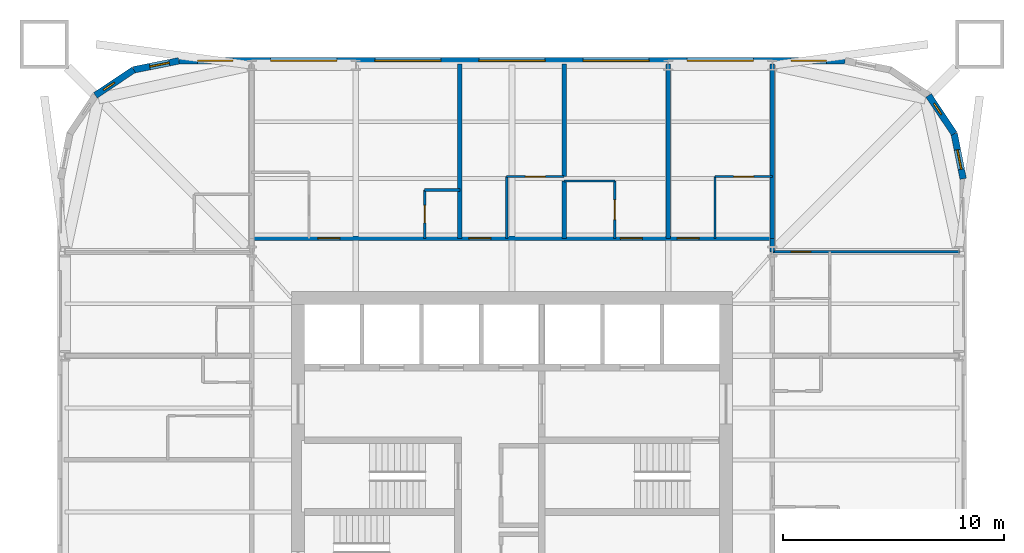
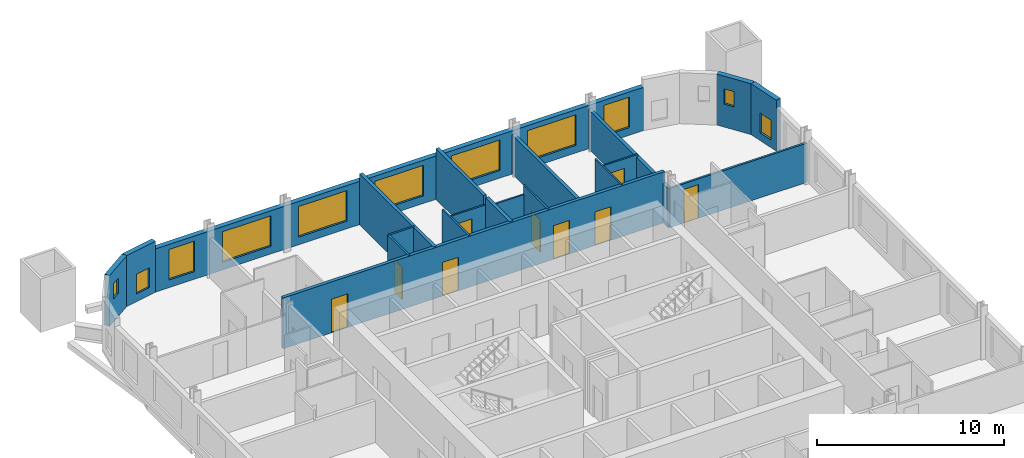
# One storey, part 7 of 9: 21 walls, 11 windows, 9 doors, 20 openings.
"""IFC4 building model written with IfcOpenShell, lengths in metres."""

from ifc_helpers import new_model, si_unit, direction, frame, frame_2d, origin, place, context, subcontext, project, spatial, rectangle, extrude, material, layer, layer_set, type_object, element, fill, save


model = new_model("IFC4")

# Units and contexts
model_context = context("Model", 3, precision=1e-05, world=origin(), true_north=direction((0.0, 1.0)))
body_context = subcontext(model_context, "Body", "Model", "MODEL_VIEW")
ifc_project = project(units=[si_unit("LENGTHUNIT", "METRE"), si_unit("AREAUNIT", "SQUARE_METRE"), si_unit("VOLUMEUNIT", "CUBIC_METRE"), si_unit("PLANEANGLEUNIT", "RADIAN"), si_unit("MASSUNIT", "GRAM", prefix="KILO")], contexts=[model_context])

# Site, building, storey
site_placement = place(None, origin())
site = spatial("IfcSite", under=ifc_project, at=site_placement, CompositionType="ELEMENT")
building_placement = place(site_placement, origin())
building = spatial("IfcBuilding", under=site, at=building_placement, Name="Turquesa Mirador Hotel Tower", CompositionType="ELEMENT")
storey_placement = place(building_placement, frame((0.0, 0.0, 96.89990234375)))
storey = spatial("IfcBuildingStorey", under=building, at=storey_placement, Name="L25", CompositionType="ELEMENT", Elevation=96.89990234375)

# Wall
ifc_material_1 = material(Name="Gypsum board on steel studs", Category="steel")
ifc_layer_1 = layer(ifc_material_1, 0.10009765625)
ifc_layer_set_1 = layer_set([ifc_layer_1], Name="BATHROOM WALL 100")
wall_type_1 = type_object("IfcWallType", Name="BATHROOM WALL 100", PredefinedType="PARTITIONING", material=ifc_layer_set_1)
wall_1_placement = place(storey_placement, frame((57.360107421875, 60.0, 0.0), z_axis=(0.0, 0.0, 1.0), x_axis=(1.0, 0.0, 0.0)))
element("IfcWall", 1, at=wall_1_placement, inside=storey, type_object=wall_type_1, Name="Partition L25 027", PredefinedType="PARTITIONING", context=body_context, shape_type="SweptSolid", body=[
    extrude(rectangle(XDim=2.2998046875, YDim=0.10009765625, at=frame_2d((1.14990234375, 0.0))), origin(), (0.0, 0.0, 1.0), 2.730712890625),
])

# Wall, opening, door
wall_2_placement = place(storey_placement, frame((54.760009765625, 60.199951171875, 0.0), z_axis=(0.0, 0.0, 1.0), x_axis=(1.0, 0.0, 0.0)))
wall_2 = element("IfcWall", 2, at=wall_2_placement, inside=storey, type_object=wall_type_1, Name="Partition L25 028", PredefinedType="PARTITIONING", context=body_context, shape_type="SweptSolid", body=[
    extrude(rectangle(XDim=2.60009765625, YDim=0.10009765625, at=frame_2d((1.300048828125, 0.0))), origin(), (0.0, 0.0, 1.0), 2.730712890625),
])
opening_1_placement = place(wall_2_placement, frame((0.85009765625, 0.0, 0.0)))
opening_1 = element("IfcOpeningElement", 3, at=opening_1_placement, cuts=wall_2, Name="Opening D02", PredefinedType="OPENING", context=body_context, shape_type="SweptSolid", body=[
    extrude(rectangle(XDim=0.89990234375, YDim=2.10009765625, at=frame_2d((0.449951171875, 1.050048828125))), frame((0.0, 0.06005859375, 0.0), z_axis=(0.0, -1.0, 0.0), x_axis=(1.0, 0.0, 0.0)), (0.0, 0.0, 1.0), 0.1201171875),
])
ifc_material_2 = material(Name="Timber veneered door", Category="wood")
door_type_1 = type_object("IfcDoorType", Name="DOOR 900X2100 EN-SUITE", OperationType="SINGLE_SWING_RIGHT", PredefinedType="DOOR", material=ifc_material_2)
door_1_placement = place(opening_1_placement, origin())
door_1 = element("IfcDoor", 4, at=door_1_placement, inside=storey, type_object=door_type_1, Name="Door 2502B", OperationType="SINGLE_SWING_RIGHT", OverallHeight=2.10009765625, OverallWidth=0.89990234375, PredefinedType="DOOR", context=body_context, shape_type="SweptSolid", body=[
    extrude(rectangle(XDim=0.89990234375, YDim=2.10009765625, at=frame_2d((0.449951171875, 1.050048828125))), frame((0.0, 0.02490234375, 0.0), z_axis=(0.0, -1.0, 0.0), x_axis=(1.0, 0.0, 0.0)), (0.0, 0.0, 1.0), 0.050048828125),
])
fill(opening_1, door_1)

wall_3_placement = place(storey_placement, frame((64.199951171875, 60.199951171875, 0.0), z_axis=(0.0, 0.0, 1.0), x_axis=(1.0, 0.0, 0.0)))
wall_3 = element("IfcWall", 5, at=wall_3_placement, inside=storey, type_object=wall_type_1, Name="Partition L25 029", PredefinedType="PARTITIONING", context=body_context, shape_type="SweptSolid", body=[
    extrude(rectangle(XDim=2.60009765625, YDim=0.10009765625, at=frame_2d((1.300048828125, 0.0))), origin(), (0.0, 0.0, 1.0), 2.730712890625),
])
opening_2_placement = place(wall_3_placement, frame((0.85009765625, 0.0, 0.0)))
opening_2 = element("IfcOpeningElement", 6, at=opening_2_placement, cuts=wall_3, Name="Opening D02", PredefinedType="OPENING", context=body_context, shape_type="SweptSolid", body=[
    extrude(rectangle(XDim=0.89990234375, YDim=2.10009765625, at=frame_2d((0.449951171875, 1.050048828125))), frame((0.0, 0.06005859375, 0.0), z_axis=(0.0, -1.0, 0.0), x_axis=(1.0, 0.0, 0.0)), (0.0, 0.0, 1.0), 0.1201171875),
])
door_2_placement = place(opening_2_placement, origin())
door_2 = element("IfcDoor", 7, at=door_2_placement, inside=storey, type_object=door_type_1, Name="Door 2504B", OperationType="SINGLE_SWING_RIGHT", OverallHeight=2.10009765625, OverallWidth=0.89990234375, PredefinedType="DOOR", context=body_context, shape_type="SweptSolid", body=[
    extrude(rectangle(XDim=0.89990234375, YDim=2.10009765625, at=frame_2d((0.449951171875, 1.050048828125))), frame((0.0, 0.02490234375, 0.0), z_axis=(0.0, -1.0, 0.0), x_axis=(1.0, 0.0, 0.0)), (0.0, 0.0, 1.0), 0.050048828125),
])
fill(opening_2, door_2)

# Wall
wall_4_placement = place(storey_placement, frame((54.760009765625, 57.39990234375, 0.0), z_axis=(0.0, 0.0, 1.0), x_axis=(0.0, 1.0, 0.0)))
element("IfcWall", 8, at=wall_4_placement, inside=storey, type_object=wall_type_1, Name="Partition L25 040", PredefinedType="PARTITIONING", context=body_context, shape_type="SweptSolid", body=[
    extrude(rectangle(XDim=2.800048828125, YDim=0.10009765625, at=frame_2d((1.39990234375, 0.0))), origin(), (0.0, 0.0, 1.0), 3.330078125),
])

# Wall, opening, door
wall_5_placement = place(storey_placement, frame((59.659912109375, 57.39990234375, 0.0), z_axis=(0.0, 0.0, 1.0), x_axis=(0.0, 1.0, 0.0)))
wall_5 = element("IfcWall", 9, at=wall_5_placement, inside=storey, type_object=wall_type_1, Name="Partition L25 073", PredefinedType="PARTITIONING", context=body_context, shape_type="SweptSolid", body=[
    extrude(rectangle(XDim=2.60009765625, YDim=0.10009765625, at=frame_2d((1.300048828125, 0.0))), origin(), (0.0, 0.0, 1.0), 3.330078125),
])
opening_3_placement = place(wall_5_placement, frame((0.85009765625, 0.0, 0.0)))
opening_3 = element("IfcOpeningElement", 10, at=opening_3_placement, cuts=wall_5, Name="Opening D02", PredefinedType="OPENING", context=body_context, shape_type="SweptSolid", body=[
    extrude(rectangle(XDim=0.89990234375, YDim=2.10009765625, at=frame_2d((0.449951171875, 1.050048828125))), frame((0.0, 0.06005859375, 0.0), z_axis=(0.0, -1.0, 0.0), x_axis=(1.0, 0.0, 0.0)), (0.0, 0.0, 1.0), 0.1201171875),
])
door_3_placement = place(opening_3_placement, origin())
door_3 = element("IfcDoor", 11, at=door_3_placement, inside=storey, type_object=door_type_1, Name="Door 2503B", OperationType="SINGLE_SWING_RIGHT", OverallHeight=2.10009765625, OverallWidth=0.89990234375, PredefinedType="DOOR", context=body_context, shape_type="SweptSolid", body=[
    extrude(rectangle(XDim=0.89990234375, YDim=2.10009765625, at=frame_2d((0.449951171875, 1.050048828125))), frame((0.0, 0.02490234375, 0.0), z_axis=(0.0, -1.0, 0.0), x_axis=(1.0, 0.0, 0.0)), (0.0, 0.0, 1.0), 0.050048828125),
])
fill(opening_3, door_3)

# Wall
wall_6_placement = place(storey_placement, frame((64.199951171875, 57.39990234375, 0.0), z_axis=(0.0, 0.0, 1.0), x_axis=(0.0, 1.0, 0.0)))
element("IfcWall", 12, at=wall_6_placement, inside=storey, type_object=wall_type_1, Name="Partition L25 076", PredefinedType="PARTITIONING", context=body_context, shape_type="SweptSolid", body=[
    extrude(rectangle(XDim=2.800048828125, YDim=0.10009765625, at=frame_2d((1.39990234375, 0.0))), origin(), (0.0, 0.0, 1.0), 3.330078125),
])

# Wall, openings, doors
ifc_material_3 = material(Name="Fire-rated gypsum board on steel studs", Category="steel")
ifc_layer_2 = layer(ifc_material_3, 0.199951171875)
ifc_layer_set_2 = layer_set([ifc_layer_2], Name="CORRIDOR WALL 200")
wall_type_2 = type_object("IfcWallType", Name="CORRIDOR WALL 200", PredefinedType="PARTITIONING", material=ifc_layer_set_2)
wall_7_placement = place(storey_placement, frame((43.199951171875, 57.39990234375, 0.0), z_axis=(0.0, 0.0, 1.0), x_axis=(1.0, 0.0, 0.0)))
wall_7 = element("IfcWall", 13, at=wall_7_placement, inside=storey, type_object=wall_type_2, Name="Partition L25 024", PredefinedType="PARTITIONING", context=body_context, shape_type="SweptSolid", body=[
    extrude(rectangle(XDim=23.60009765625, YDim=0.199951171875, at=frame_2d((11.800048828125, 0.0))), origin(), (0.0, 0.0, 1.0), 3.330078125),
])
opening_4_placement = place(wall_7_placement, frame((3.0, 0.0, 0.0)))
opening_4 = element("IfcOpeningElement", 14, at=opening_4_placement, cuts=wall_7, Name="Opening D01", PredefinedType="OPENING", context=body_context, shape_type="SweptSolid", body=[
    extrude(rectangle(XDim=1.0, YDim=2.199951171875, at=frame_2d((0.5, 1.10009765625))), frame((0.0, 0.10986328125, 0.0), z_axis=(0.0, -1.0, 0.0), x_axis=(1.0, 0.0, 0.0)), (0.0, 0.0, 1.0), 0.219970703125),
])
opening_5_placement = place(wall_7_placement, frame((9.840087890625, 0.0, 0.0)))
opening_5 = element("IfcOpeningElement", 15, at=opening_5_placement, cuts=wall_7, Name="Opening D01", PredefinedType="OPENING", context=body_context, shape_type="SweptSolid", body=[
    extrude(rectangle(XDim=1.0, YDim=2.199951171875, at=frame_2d((0.5, 1.10009765625))), frame((0.0, 0.10986328125, 0.0), z_axis=(0.0, -1.0, 0.0), x_axis=(1.0, 0.0, 0.0)), (0.0, 0.0, 1.0), 0.219970703125),
])
opening_6_placement = place(wall_7_placement, frame((16.7099609375, 0.0, 0.0)))
opening_6 = element("IfcOpeningElement", 16, at=opening_6_placement, cuts=wall_7, Name="Opening D01", PredefinedType="OPENING", context=body_context, shape_type="SweptSolid", body=[
    extrude(rectangle(XDim=1.0, YDim=2.199951171875, at=frame_2d((0.5, 1.10009765625))), frame((0.0, 0.10986328125, 0.0), z_axis=(0.0, -1.0, 0.0), x_axis=(1.0, 0.0, 0.0)), (0.0, 0.0, 1.0), 0.219970703125),
])
opening_7_placement = place(wall_7_placement, frame((19.280029296875, 0.0, 0.0)))
opening_7 = element("IfcOpeningElement", 17, at=opening_7_placement, cuts=wall_7, Name="Opening D01", PredefinedType="OPENING", context=body_context, shape_type="SweptSolid", body=[
    extrude(rectangle(XDim=1.0, YDim=2.199951171875, at=frame_2d((0.5, 1.10009765625))), frame((0.0, 0.10986328125, 0.0), z_axis=(0.0, -1.0, 0.0), x_axis=(1.0, 0.0, 0.0)), (0.0, 0.0, 1.0), 0.219970703125),
])
ifc_material_4 = material(Name="Timber veneered fire door", Category="wood")
door_type_2 = type_object("IfcDoorType", Name="DOOR 1000X2200 GUEST ENTRY", OperationType="SINGLE_SWING_LEFT", PredefinedType="DOOR", material=ifc_material_4)
door_4_placement = place(opening_4_placement, origin())
door_4 = element("IfcDoor", 18, at=door_4_placement, inside=storey, type_object=door_type_2, Name="Door 2501", OperationType="SINGLE_SWING_LEFT", OverallHeight=2.199951171875, OverallWidth=1.0, PredefinedType="DOOR", context=body_context, shape_type="SweptSolid", body=[
    extrude(rectangle(XDim=1.0, YDim=2.199951171875, at=frame_2d((0.5, 1.10009765625))), frame((0.0, 0.02490234375, 0.0), z_axis=(0.0, -1.0, 0.0), x_axis=(1.0, 0.0, 0.0)), (0.0, 0.0, 1.0), 0.050048828125),
])
fill(opening_4, door_4)
door_5_placement = place(opening_5_placement, origin())
door_5 = element("IfcDoor", 19, at=door_5_placement, inside=storey, type_object=door_type_2, Name="Door 2502", OperationType="SINGLE_SWING_LEFT", OverallHeight=2.199951171875, OverallWidth=1.0, PredefinedType="DOOR", context=body_context, shape_type="SweptSolid", body=[
    extrude(rectangle(XDim=1.0, YDim=2.199951171875, at=frame_2d((0.5, 1.10009765625))), frame((0.0, 0.02490234375, 0.0), z_axis=(0.0, -1.0, 0.0), x_axis=(1.0, 0.0, 0.0)), (0.0, 0.0, 1.0), 0.050048828125),
])
fill(opening_5, door_5)
door_6_placement = place(opening_6_placement, origin())
door_6 = element("IfcDoor", 20, at=door_6_placement, inside=storey, type_object=door_type_2, Name="Door 2503", OperationType="SINGLE_SWING_LEFT", OverallHeight=2.199951171875, OverallWidth=1.0, PredefinedType="DOOR", context=body_context, shape_type="SweptSolid", body=[
    extrude(rectangle(XDim=1.0, YDim=2.199951171875, at=frame_2d((0.5, 1.10009765625))), frame((0.0, 0.02490234375, 0.0), z_axis=(0.0, -1.0, 0.0), x_axis=(1.0, 0.0, 0.0)), (0.0, 0.0, 1.0), 0.050048828125),
])
fill(opening_6, door_6)
door_7_placement = place(opening_7_placement, origin())
door_7 = element("IfcDoor", 21, at=door_7_placement, inside=storey, type_object=door_type_2, Name="Door 2504", OperationType="SINGLE_SWING_LEFT", OverallHeight=2.199951171875, OverallWidth=1.0, PredefinedType="DOOR", context=body_context, shape_type="SweptSolid", body=[
    extrude(rectangle(XDim=1.0, YDim=2.199951171875, at=frame_2d((0.5, 1.10009765625))), frame((0.0, 0.02490234375, 0.0), z_axis=(0.0, -1.0, 0.0), x_axis=(1.0, 0.0, 0.0)), (0.0, 0.0, 1.0), 0.050048828125),
])
fill(opening_7, door_7)

# Wall
wall_8_placement = place(storey_placement, frame((66.800048828125, 56.780029296875, 0.0), z_axis=(0.0, 0.0, 1.0), x_axis=(0.0, 1.0, 0.0)))
element("IfcWall", 22, at=wall_8_placement, inside=storey, type_object=wall_type_2, Name="Partition L25 080", PredefinedType="PARTITIONING", context=body_context, shape_type="SweptSolid", body=[
    extrude(rectangle(XDim=0.619873046875, YDim=0.199951171875, at=frame_2d((0.31005859375, 0.0))), origin(), (0.0, 0.0, 1.0), 2.5732421875),
])

# Wall, opening, window
ifc_material_5 = material(Name="Limestone cladding on concrete block", Category="masonry")
ifc_layer_3 = layer(ifc_material_5, 0.300048828125)
ifc_layer_set_3 = layer_set([ifc_layer_3], Name="FACADE WALL 300 STONE SCREEN")
wall_type_3 = type_object("IfcWallType", Name="FACADE WALL 300 STONE SCREEN", PredefinedType="SOLIDWALL", material=ifc_layer_set_3)
wall_9_placement = place(storey_placement, frame((75.449951171875, 60.10009765625, 0.0), z_axis=(0.0, 0.0, 1.0), x_axis=(-0.195081421501, 0.980787050784, 0.0)))
wall_9 = element("IfcWall", 23, at=wall_9_placement, inside=storey, type_object=wall_type_3, Name="Facade wall L25 05", PredefinedType="SOLIDWALL", context=body_context, shape_type="SweptSolid", body=[
    extrude(rectangle(XDim=2.08740234375, YDim=0.300048828125, at=frame_2d((1.043701171875, 0.0))), origin(), (0.0, 0.0, 1.0), 3.330078125),
])
opening_8_placement = place(wall_9_placement, frame((0.443603515625, 0.0, 0.5)))
opening_8 = element("IfcOpeningElement", 24, at=opening_8_placement, cuts=wall_9, Name="Opening WN21", PredefinedType="OPENING", context=body_context, shape_type="SweptSolid", body=[
    extrude(rectangle(XDim=0.89990234375, YDim=1.300048828125, at=frame_2d((0.449951171875, 0.64990234375))), frame((0.0, 0.159912109375, 0.0), z_axis=(0.0, -1.0, 0.0), x_axis=(1.0, 0.0, 0.0)), (0.0, 0.0, 1.0), 0.320068359375),
])
ifc_material_6 = material(Name="Ceramic-fritted laminated glass", Category="glass")
window_type_1 = type_object("IfcWindowType", Name="FRITTED CORNER WINDOW 900X1300", PartitioningType="DOUBLE_PANEL_HORIZONTAL", PredefinedType="WINDOW", material=ifc_material_6)
window_1_placement = place(opening_8_placement, origin())
window_1 = element("IfcWindow", 25, at=window_1_placement, inside=storey, type_object=window_type_1, Name="Window L25", OverallHeight=1.300048828125, OverallWidth=0.89990234375, PartitioningType="SINGLE_PANEL", PredefinedType="WINDOW", context=body_context, shape_type="SweptSolid", body=[
    extrude(rectangle(XDim=0.89990234375, YDim=1.300048828125, at=frame_2d((0.449951171875, 0.64990234375))), frame((0.0, 0.030029296875, 0.0), z_axis=(0.0, -1.0, 0.0), x_axis=(1.0, 0.0, 0.0)), (0.0, 0.0, 1.0), 0.06005859375),
])
fill(opening_8, window_1)

wall_10_placement = place(storey_placement, frame((75.042724609375, 62.1474609375, 0.0), z_axis=(0.0, 0.0, 1.0), x_axis=(-0.555563607591, 0.831474039234, 0.0)))
wall_10 = element("IfcWall", 26, at=wall_10_placement, inside=storey, type_object=wall_type_3, Name="Facade wall L25 06", PredefinedType="SOLIDWALL", context=body_context, shape_type="SweptSolid", body=[
    extrude(rectangle(XDim=2.08740234375, YDim=0.300048828125, at=frame_2d((1.043701171875, 0.0))), origin(), (0.0, 0.0, 1.0), 3.330078125),
])
opening_9_placement = place(wall_10_placement, frame((1.043701171875, 0.0, 1.5)))
opening_9 = element("IfcOpeningElement", 27, at=opening_9_placement, cuts=wall_10, Name="Opening WN11", PredefinedType="OPENING", context=body_context, shape_type="SweptSolid", body=[
    extrude(rectangle(XDim=0.60009765625, YDim=1.0, at=frame_2d((0.300048828125, 0.5))), frame((0.0, 0.159912109375, 0.0), z_axis=(0.0, -1.0, 0.0), x_axis=(1.0, 0.0, 0.0)), (0.0, 0.0, 1.0), 0.320068359375),
])
ifc_material_7 = material(Name="Ceramic-fritted laminated glass", Category="glass")
window_type_2 = type_object("IfcWindowType", Name="FRITTED CORNER WINDOW 600X1000", PartitioningType="DOUBLE_PANEL_HORIZONTAL", PredefinedType="WINDOW", material=ifc_material_7)
window_2_placement = place(opening_9_placement, origin())
window_2 = element("IfcWindow", 28, at=window_2_placement, inside=storey, type_object=window_type_2, Name="Window L25", OverallHeight=1.0, OverallWidth=0.60009765625, PartitioningType="SINGLE_PANEL", PredefinedType="WINDOW", context=body_context, shape_type="SweptSolid", body=[
    extrude(rectangle(XDim=0.60009765625, YDim=1.0, at=frame_2d((0.300048828125, 0.5))), frame((0.0, 0.030029296875, 0.0), z_axis=(0.0, -1.0, 0.0), x_axis=(1.0, 0.0, 0.0)), (0.0, 0.0, 1.0), 0.06005859375),
])
fill(opening_9, window_2)

# Wall, openings, windows
wall_11_placement = place(storey_placement, frame((70.10009765625, 65.449951171875, 0.0), z_axis=(0.0, 0.0, 1.0), x_axis=(-1.0, 0.0, 0.0)))
wall_11 = element("IfcWall", 29, at=wall_11_placement, inside=storey, type_object=wall_type_3, Name="Facade wall L25 09", PredefinedType="SOLIDWALL", context=body_context, shape_type="SweptSolid", body=[
    extrude(rectangle(XDim=30.2001953125, YDim=0.300048828125, at=frame_2d((15.10009765625, 0.0))), origin(), (0.0, 0.0, 1.0), 2.830078125),
])
opening_10_placement = place(wall_11_placement, frame((0.85009765625, 0.0, 0.5)))
opening_10 = element("IfcOpeningElement", 30, at=opening_10_placement, cuts=wall_11, Name="Opening WN3", PredefinedType="OPENING", context=body_context, shape_type="SweptSolid", body=[
    extrude(rectangle(XDim=1.60009765625, YDim=2.0, at=frame_2d((0.800048828125, 1.0))), frame((0.0, 0.159912109375, 0.0), z_axis=(0.0, -1.0, 0.0), x_axis=(1.0, 0.0, 0.0)), (0.0, 0.0, 1.0), 0.320068359375),
])
opening_11_placement = place(wall_11_placement, frame((4.159912109375, 0.0, 0.5)))
opening_11 = element("IfcOpeningElement", 31, at=opening_11_placement, cuts=wall_11, Name="Opening WN1", PredefinedType="OPENING", context=body_context, shape_type="SweptSolid", body=[
    extrude(rectangle(XDim=3.0, YDim=2.0, at=frame_2d((1.5, 1.0))), frame((0.0, 0.159912109375, 0.0), z_axis=(0.0, -1.0, 0.0), x_axis=(1.0, 0.0, 0.0)), (0.0, 0.0, 1.0), 0.320068359375),
])
opening_12_placement = place(wall_11_placement, frame((8.8798828125, 0.0, 0.5)))
opening_12 = element("IfcOpeningElement", 32, at=opening_12_placement, cuts=wall_11, Name="Opening WN1", PredefinedType="OPENING", context=body_context, shape_type="SweptSolid", body=[
    extrude(rectangle(XDim=3.0, YDim=2.0, at=frame_2d((1.5, 1.0))), frame((0.0, 0.159912109375, 0.0), z_axis=(0.0, -1.0, 0.0), x_axis=(1.0, 0.0, 0.0)), (0.0, 0.0, 1.0), 0.320068359375),
])
opening_13_placement = place(wall_11_placement, frame((13.60009765625, 0.0, 0.5)))
opening_13 = element("IfcOpeningElement", 33, at=opening_13_placement, cuts=wall_11, Name="Opening WN1", PredefinedType="OPENING", context=body_context, shape_type="SweptSolid", body=[
    extrude(rectangle(XDim=3.0, YDim=2.0, at=frame_2d((1.5, 1.0))), frame((0.0, 0.159912109375, 0.0), z_axis=(0.0, -1.0, 0.0), x_axis=(1.0, 0.0, 0.0)), (0.0, 0.0, 1.0), 0.320068359375),
])
opening_14_placement = place(wall_11_placement, frame((18.320068359375, 0.0, 0.5)))
opening_14 = element("IfcOpeningElement", 34, at=opening_14_placement, cuts=wall_11, Name="Opening WN1", PredefinedType="OPENING", context=body_context, shape_type="SweptSolid", body=[
    extrude(rectangle(XDim=3.0, YDim=2.0, at=frame_2d((1.5, 1.0))), frame((0.0, 0.159912109375, 0.0), z_axis=(0.0, -1.0, 0.0), x_axis=(1.0, 0.0, 0.0)), (0.0, 0.0, 1.0), 0.320068359375),
])
opening_15_placement = place(wall_11_placement, frame((23.0400390625, 0.0, 0.5)))
opening_15 = element("IfcOpeningElement", 35, at=opening_15_placement, cuts=wall_11, Name="Opening WN1", PredefinedType="OPENING", context=body_context, shape_type="SweptSolid", body=[
    extrude(rectangle(XDim=3.0, YDim=2.0, at=frame_2d((1.5, 1.0))), frame((0.0, 0.159912109375, 0.0), z_axis=(0.0, -1.0, 0.0), x_axis=(1.0, 0.0, 0.0)), (0.0, 0.0, 1.0), 0.320068359375),
])
opening_16_placement = place(wall_11_placement, frame((27.75, 0.0, 0.5)))
opening_16 = element("IfcOpeningElement", 36, at=opening_16_placement, cuts=wall_11, Name="Opening WN3", PredefinedType="OPENING", context=body_context, shape_type="SweptSolid", body=[
    extrude(rectangle(XDim=1.60009765625, YDim=2.0, at=frame_2d((0.800048828125, 1.0))), frame((0.0, 0.159912109375, 0.0), z_axis=(0.0, -1.0, 0.0), x_axis=(1.0, 0.0, 0.0)), (0.0, 0.0, 1.0), 0.320068359375),
])
ifc_material_8 = material(Name="Ceramic-fritted laminated glass", Category="glass")
window_type_3 = type_object("IfcWindowType", Name="FRITTED WINDOW 1600X2000", PartitioningType="DOUBLE_PANEL_HORIZONTAL", PredefinedType="WINDOW", material=ifc_material_8)
window_3_placement = place(opening_10_placement, origin())
window_3 = element("IfcWindow", 37, at=window_3_placement, inside=storey, type_object=window_type_3, Name="Window L25", OverallHeight=2.0, OverallWidth=1.60009765625, PartitioningType="SINGLE_PANEL", PredefinedType="WINDOW", context=body_context, shape_type="SweptSolid", body=[
    extrude(rectangle(XDim=1.60009765625, YDim=2.0, at=frame_2d((0.800048828125, 1.0))), frame((0.0, 0.030029296875, 0.0), z_axis=(0.0, -1.0, 0.0), x_axis=(1.0, 0.0, 0.0)), (0.0, 0.0, 1.0), 0.06005859375),
])
fill(opening_10, window_3)
window_4_placement = place(opening_16_placement, origin())
window_4 = element("IfcWindow", 38, at=window_4_placement, inside=storey, type_object=window_type_3, Name="Window L25", OverallHeight=2.0, OverallWidth=1.60009765625, PartitioningType="SINGLE_PANEL", PredefinedType="WINDOW", context=body_context, shape_type="SweptSolid", body=[
    extrude(rectangle(XDim=1.60009765625, YDim=2.0, at=frame_2d((0.800048828125, 1.0))), frame((0.0, 0.030029296875, 0.0), z_axis=(0.0, -1.0, 0.0), x_axis=(1.0, 0.0, 0.0)), (0.0, 0.0, 1.0), 0.06005859375),
])
fill(opening_16, window_4)
ifc_material_9 = material(Name="Ceramic-fritted laminated glass", Category="glass")
window_type_4 = type_object("IfcWindowType", Name="FRITTED WINDOW 3000X2000", PartitioningType="DOUBLE_PANEL_HORIZONTAL", PredefinedType="WINDOW", material=ifc_material_9)
window_5_placement = place(opening_11_placement, origin())
window_5 = element("IfcWindow", 39, at=window_5_placement, inside=storey, type_object=window_type_4, Name="Window L25", OverallHeight=2.0, OverallWidth=3.0, PartitioningType="SINGLE_PANEL", PredefinedType="WINDOW", context=body_context, shape_type="SweptSolid", body=[
    extrude(rectangle(XDim=3.0, YDim=2.0, at=frame_2d((1.5, 1.0))), frame((0.0, 0.030029296875, 0.0), z_axis=(0.0, -1.0, 0.0), x_axis=(1.0, 0.0, 0.0)), (0.0, 0.0, 1.0), 0.06005859375),
])
fill(opening_11, window_5)
window_6_placement = place(opening_12_placement, origin())
window_6 = element("IfcWindow", 40, at=window_6_placement, inside=storey, type_object=window_type_4, Name="Window L25", OverallHeight=2.0, OverallWidth=3.0, PartitioningType="SINGLE_PANEL", PredefinedType="WINDOW", context=body_context, shape_type="SweptSolid", body=[
    extrude(rectangle(XDim=3.0, YDim=2.0, at=frame_2d((1.5, 1.0))), frame((0.0, 0.030029296875, 0.0), z_axis=(0.0, -1.0, 0.0), x_axis=(1.0, 0.0, 0.0)), (0.0, 0.0, 1.0), 0.06005859375),
])
fill(opening_12, window_6)
window_7_placement = place(opening_13_placement, origin())
window_7 = element("IfcWindow", 41, at=window_7_placement, inside=storey, type_object=window_type_4, Name="Window L25", OverallHeight=2.0, OverallWidth=3.0, PartitioningType="SINGLE_PANEL", PredefinedType="WINDOW", context=body_context, shape_type="SweptSolid", body=[
    extrude(rectangle(XDim=3.0, YDim=2.0, at=frame_2d((1.5, 1.0))), frame((0.0, 0.030029296875, 0.0), z_axis=(0.0, -1.0, 0.0), x_axis=(1.0, 0.0, 0.0)), (0.0, 0.0, 1.0), 0.06005859375),
])
fill(opening_13, window_7)
window_8_placement = place(opening_14_placement, origin())
window_8 = element("IfcWindow", 42, at=window_8_placement, inside=storey, type_object=window_type_4, Name="Window L25", OverallHeight=2.0, OverallWidth=3.0, PartitioningType="SINGLE_PANEL", PredefinedType="WINDOW", context=body_context, shape_type="SweptSolid", body=[
    extrude(rectangle(XDim=3.0, YDim=2.0, at=frame_2d((1.5, 1.0))), frame((0.0, 0.030029296875, 0.0), z_axis=(0.0, -1.0, 0.0), x_axis=(1.0, 0.0, 0.0)), (0.0, 0.0, 1.0), 0.06005859375),
])
fill(opening_14, window_8)
window_9_placement = place(opening_15_placement, origin())
window_9 = element("IfcWindow", 43, at=window_9_placement, inside=storey, type_object=window_type_4, Name="Window L25", OverallHeight=2.0, OverallWidth=3.0, PartitioningType="SINGLE_PANEL", PredefinedType="WINDOW", context=body_context, shape_type="SweptSolid", body=[
    extrude(rectangle(XDim=3.0, YDim=2.0, at=frame_2d((1.5, 1.0))), frame((0.0, 0.030029296875, 0.0), z_axis=(0.0, -1.0, 0.0), x_axis=(1.0, 0.0, 0.0)), (0.0, 0.0, 1.0), 0.06005859375),
])
fill(opening_15, window_9)

# Wall, opening, window
wall_12_placement = place(storey_placement, frame((39.89990234375, 65.449951171875, 0.0), z_axis=(0.0, 0.0, 1.0), x_axis=(-0.980787050784, -0.195081421501, 0.0)))
wall_12 = element("IfcWall", 44, at=wall_12_placement, inside=storey, type_object=wall_type_3, Name="Facade wall L25 10", PredefinedType="SOLIDWALL", context=body_context, shape_type="SweptSolid", body=[
    extrude(rectangle(XDim=2.08740234375, YDim=0.300048828125, at=frame_2d((1.043701171875, 0.0))), origin(), (0.0, 0.0, 1.0), 3.330078125),
])
opening_17_placement = place(wall_12_placement, frame((0.443603515625, 0.0, 0.5)))
opening_17 = element("IfcOpeningElement", 45, at=opening_17_placement, cuts=wall_12, Name="Opening WN21", PredefinedType="OPENING", context=body_context, shape_type="SweptSolid", body=[
    extrude(rectangle(XDim=0.89990234375, YDim=1.300048828125, at=frame_2d((0.449951171875, 0.64990234375))), frame((0.0, 0.159912109375, 0.0), z_axis=(0.0, -1.0, 0.0), x_axis=(1.0, 0.0, 0.0)), (0.0, 0.0, 1.0), 0.320068359375),
])
window_10_placement = place(opening_17_placement, origin())
window_10 = element("IfcWindow", 46, at=window_10_placement, inside=storey, type_object=window_type_1, Name="Window L25", OverallHeight=1.300048828125, OverallWidth=0.89990234375, PartitioningType="SINGLE_PANEL", PredefinedType="WINDOW", context=body_context, shape_type="SweptSolid", body=[
    extrude(rectangle(XDim=0.89990234375, YDim=1.300048828125, at=frame_2d((0.449951171875, 0.64990234375))), frame((0.0, 0.030029296875, 0.0), z_axis=(0.0, -1.0, 0.0), x_axis=(1.0, 0.0, 0.0)), (0.0, 0.0, 1.0), 0.06005859375),
])
fill(opening_17, window_10)

wall_13_placement = place(storey_placement, frame((37.8525390625, 65.042724609375, 0.0), z_axis=(0.0, 0.0, 1.0), x_axis=(-0.831474039234, -0.555563607591, 0.0)))
wall_13 = element("IfcWall", 47, at=wall_13_placement, inside=storey, type_object=wall_type_3, Name="Facade wall L25 11", PredefinedType="SOLIDWALL", context=body_context, shape_type="SweptSolid", body=[
    extrude(rectangle(XDim=2.08740234375, YDim=0.300048828125, at=frame_2d((1.043701171875, 0.0))), origin(), (0.0, 0.0, 1.0), 3.330078125),
])
opening_18_placement = place(wall_13_placement, frame((1.043701171875, 0.0, 1.5)))
opening_18 = element("IfcOpeningElement", 48, at=opening_18_placement, cuts=wall_13, Name="Opening WN11", PredefinedType="OPENING", context=body_context, shape_type="SweptSolid", body=[
    extrude(rectangle(XDim=0.60009765625, YDim=1.0, at=frame_2d((0.300048828125, 0.5))), frame((0.0, 0.159912109375, 0.0), z_axis=(0.0, -1.0, 0.0), x_axis=(1.0, 0.0, 0.0)), (0.0, 0.0, 1.0), 0.320068359375),
])
window_11_placement = place(opening_18_placement, origin())
window_11 = element("IfcWindow", 49, at=window_11_placement, inside=storey, type_object=window_type_2, Name="Window L25", OverallHeight=1.0, OverallWidth=0.60009765625, PartitioningType="SINGLE_PANEL", PredefinedType="WINDOW", context=body_context, shape_type="SweptSolid", body=[
    extrude(rectangle(XDim=0.60009765625, YDim=1.0, at=frame_2d((0.300048828125, 0.5))), frame((0.0, 0.030029296875, 0.0), z_axis=(0.0, -1.0, 0.0), x_axis=(1.0, 0.0, 0.0)), (0.0, 0.0, 1.0), 0.06005859375),
])
fill(opening_18, window_11)

# Walls
ifc_material_10 = material(Name="Fire-rated gypsum board on steel studs", Category="steel")
ifc_layer_4 = layer(ifc_material_10, 0.199951171875)
ifc_layer_set_4 = layer_set([ifc_layer_4], Name="PARTY WALL 200")
wall_type_4 = type_object("IfcWallType", Name="PARTY WALL 200", PredefinedType="PARTITIONING", material=ifc_layer_set_4)
wall_14_placement = place(storey_placement, frame((52.639892578125, 57.39990234375, 0.0), z_axis=(0.0, 0.0, 1.0), x_axis=(0.0, 1.0, 0.0)))
element("IfcWall", 50, at=wall_14_placement, inside=storey, type_object=wall_type_4, Name="Partition L25 052", PredefinedType="PARTITIONING", context=body_context, shape_type="SweptSolid", body=[
    extrude(rectangle(XDim=7.900146484375, YDim=0.199951171875, at=frame_2d((3.9501953125, 0.0))), origin(), (0.0, 0.0, 1.0), 3.330078125),
])
wall_15_placement = place(storey_placement, frame((66.800048828125, 57.39990234375, 0.0), z_axis=(0.0, 0.0, 1.0), x_axis=(0.0, 1.0, 0.0)))
element("IfcWall", 51, at=wall_15_placement, inside=storey, type_object=wall_type_4, Name="Partition L25 060", PredefinedType="PARTITIONING", context=body_context, shape_type="SweptSolid", body=[
    extrude(rectangle(XDim=7.900146484375, YDim=0.199951171875, at=frame_2d((3.9501953125, 0.0))), origin(), (0.0, 0.0, 1.0), 2.5732421875),
])
wall_16_placement = place(storey_placement, frame((57.360107421875, 57.39990234375, 0.0), z_axis=(0.0, 0.0, 1.0), x_axis=(0.0, 1.0, 0.0)))
element("IfcWall", 52, at=wall_16_placement, inside=storey, type_object=wall_type_4, Name="Partition L25 071", PredefinedType="PARTITIONING", context=body_context, shape_type="SweptSolid", body=[
    extrude(rectangle(XDim=2.60009765625, YDim=0.199951171875, at=frame_2d((1.300048828125, 0.0))), origin(), (0.0, 0.0, 1.0), 3.330078125),
])
wall_17_placement = place(storey_placement, frame((57.360107421875, 60.199951171875, 0.0), z_axis=(0.0, 0.0, 1.0), x_axis=(0.0, 1.0, 0.0)))
element("IfcWall", 53, at=wall_17_placement, inside=storey, type_object=wall_type_4, Name="Partition L25 072", PredefinedType="PARTITIONING", context=body_context, shape_type="SweptSolid", body=[
    extrude(rectangle(XDim=5.10009765625, YDim=0.199951171875, at=frame_2d((2.550048828125, 0.0))), origin(), (0.0, 0.0, 1.0), 3.330078125),
])
wall_18_placement = place(storey_placement, frame((62.080078125, 57.39990234375, 0.0), z_axis=(0.0, 0.0, 1.0), x_axis=(0.0, 1.0, 0.0)))
element("IfcWall", 54, at=wall_18_placement, inside=storey, type_object=wall_type_4, Name="Partition L25 075", PredefinedType="PARTITIONING", context=body_context, shape_type="SweptSolid", body=[
    extrude(rectangle(XDim=7.900146484375, YDim=0.199951171875, at=frame_2d((3.9501953125, 0.0))), origin(), (0.0, 0.0, 1.0), 2.5732421875),
])

# Wall, opening, door
ifc_material_11 = material(Name="Acoustic gypsum board on steel studs", Category="steel")
ifc_layer_5 = layer(ifc_material_11, 0.125)
ifc_layer_set_5 = layer_set([ifc_layer_5], Name="SUITE PARTITION 125")
wall_type_5 = type_object("IfcWallType", Name="SUITE PARTITION 125", PredefinedType="PARTITIONING", material=ifc_layer_set_5)
wall_19_placement = place(storey_placement, frame((66.800048828125, 56.800048828125, 0.0), z_axis=(0.0, 0.0, 1.0), x_axis=(1.0, 0.0, 0.0)))
wall_19 = element("IfcWall", 55, at=wall_19_placement, inside=storey, type_object=wall_type_5, Name="Partition L25 023", PredefinedType="PARTITIONING", context=body_context, shape_type="SweptSolid", body=[
    extrude(rectangle(XDim=8.5, YDim=0.125, at=frame_2d((4.25, 0.0))), origin(), (0.0, 0.0, 1.0), 2.5732421875),
])
opening_19_placement = place(wall_19_placement, frame((0.85009765625, 0.0, 0.0)))
opening_19 = element("IfcOpeningElement", 56, at=opening_19_placement, cuts=wall_19, Name="Opening D17", PredefinedType="OPENING", context=body_context, shape_type="SweptSolid", body=[
    extrude(rectangle(XDim=0.89990234375, YDim=2.199951171875, at=frame_2d((0.449951171875, 1.10009765625))), frame((0.0, 0.072509765625, 0.0), z_axis=(0.0, -1.0, 0.0), x_axis=(1.0, 0.0, 0.0)), (0.0, 0.0, 1.0), 0.14501953125),
])
ifc_material_12 = material(Name="Timber veneered door", Category="wood")
door_type_3 = type_object("IfcDoorType", Name="DOOR 900X2200 SUITE INTERNAL", OperationType="SINGLE_SWING_LEFT", PredefinedType="DOOR", material=ifc_material_12)
door_8_placement = place(opening_19_placement, origin())
door_8 = element("IfcDoor", 57, at=door_8_placement, inside=storey, type_object=door_type_3, Name="Door 2511", OperationType="SINGLE_SWING_LEFT", OverallHeight=2.199951171875, OverallWidth=0.89990234375, PredefinedType="DOOR", context=body_context, shape_type="SweptSolid", body=[
    extrude(rectangle(XDim=0.89990234375, YDim=2.199951171875, at=frame_2d((0.449951171875, 1.10009765625))), frame((0.0, 0.02490234375, 0.0), z_axis=(0.0, -1.0, 0.0), x_axis=(1.0, 0.0, 0.0)), (0.0, 0.0, 1.0), 0.050048828125),
])
fill(opening_19, door_8)

# Wall
wall_20_placement = place(storey_placement, frame((51.0400390625, 59.60009765625, 0.0), z_axis=(0.0, 0.0, 1.0), x_axis=(1.0, 0.0, 0.0)))
element("IfcWall", 58, at=wall_20_placement, inside=storey, type_object=wall_type_5, Name="Partition L25 026", PredefinedType="PARTITIONING", context=body_context, shape_type="SweptSolid", body=[
    extrude(rectangle(XDim=1.599853515625, YDim=0.125, at=frame_2d((0.7998046875, 0.0))), origin(), (0.0, 0.0, 1.0), 3.330078125),
])

# Wall, opening, door
wall_21_placement = place(storey_placement, frame((51.0400390625, 57.39990234375, 0.0), z_axis=(0.0, 0.0, 1.0), x_axis=(0.0, 1.0, 0.0)))
wall_21 = element("IfcWall", 59, at=wall_21_placement, inside=storey, type_object=wall_type_5, Name="Partition L25 054", PredefinedType="PARTITIONING", context=body_context, shape_type="SweptSolid", body=[
    extrude(rectangle(XDim=2.2001953125, YDim=0.125, at=frame_2d((1.10009765625, 0.0))), origin(), (0.0, 0.0, 1.0), 3.330078125),
])
opening_20_placement = place(wall_21_placement, frame((0.699951171875, 0.0, 0.0)))
opening_20 = element("IfcOpeningElement", 60, at=opening_20_placement, cuts=wall_21, Name="Opening D20", PredefinedType="OPENING", context=body_context, shape_type="SweptSolid", body=[
    extrude(rectangle(XDim=0.800048828125, YDim=2.10009765625, at=frame_2d((0.39990234375, 1.050048828125))), frame((0.0, 0.072509765625, 0.0), z_axis=(0.0, -1.0, 0.0), x_axis=(1.0, 0.0, 0.0)), (0.0, 0.0, 1.0), 0.14501953125),
])
ifc_material_13 = material(Name="Timber veneered sliding door", Category="wood")
door_type_4 = type_object("IfcDoorType", Name="DOOR 800X2100 WARDROBE", OperationType="SLIDING_TO_LEFT", PredefinedType="DOOR", material=ifc_material_13)
door_9_placement = place(opening_20_placement, origin())
door_9 = element("IfcDoor", 61, at=door_9_placement, inside=storey, type_object=door_type_4, Name="Door 2501W", OperationType="SLIDING_TO_LEFT", OverallHeight=2.10009765625, OverallWidth=0.800048828125, PredefinedType="DOOR", context=body_context, shape_type="SweptSolid", body=[
    extrude(rectangle(XDim=0.800048828125, YDim=2.10009765625, at=frame_2d((0.39990234375, 1.050048828125))), frame((0.0, 0.02490234375, 0.0), z_axis=(0.0, -1.0, 0.0), x_axis=(1.0, 0.0, 0.0)), (0.0, 0.0, 1.0), 0.050048828125),
])
fill(opening_20, door_9)

save(model, "model.ifc")
